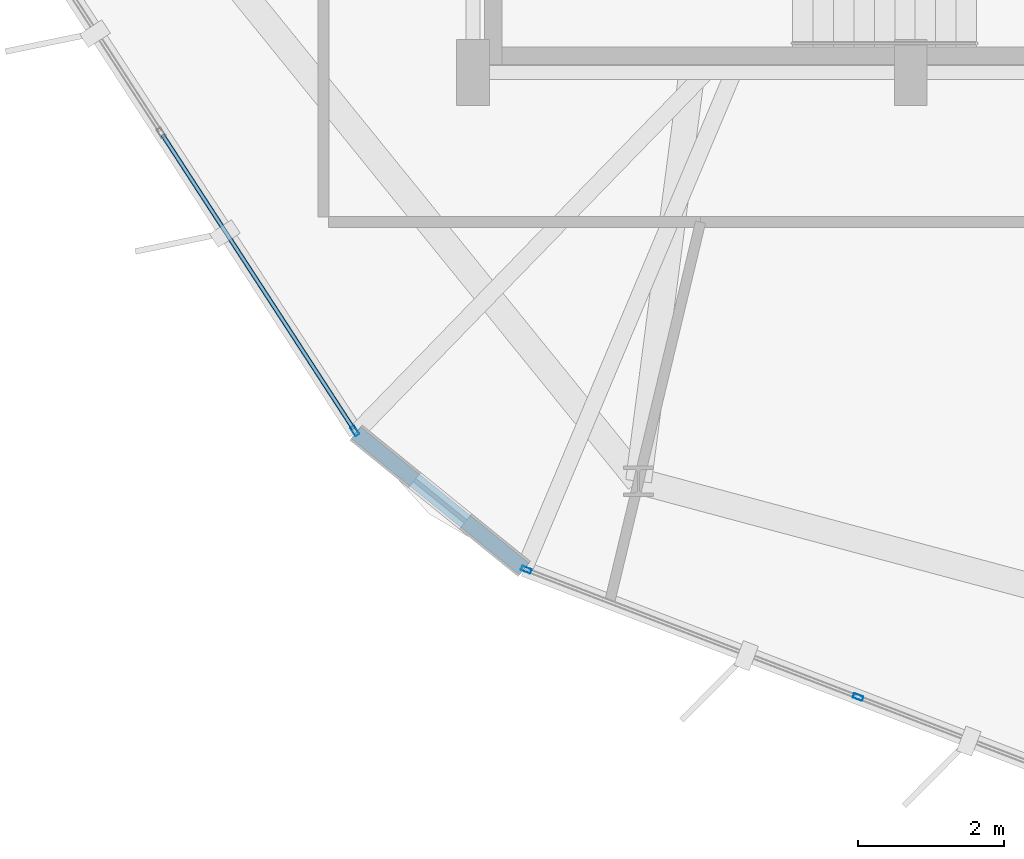
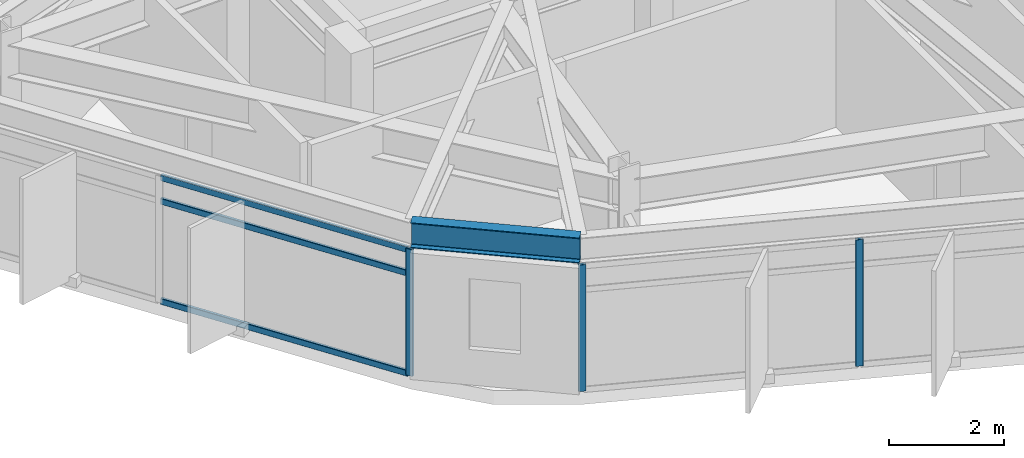
# One storey, part 2 of 29: 6 members, 1 beam, 2 elements without a shape of their own.
"""IFC4 building model written with IfcOpenShell, lengths in metres."""

from ifc_helpers import new_model, si_unit, direction, frame, origin, origin_2d, place, context, subcontext, project, spatial, hollow_rectangle, i_section, extrude, material, layer, layer_set, material_profile, profile_set, type_object, element, aggregate, save


model = new_model("IFC4")

# Units and contexts
model_context = context("Model", 3, precision=1e-05, world=origin(), true_north=direction((0.0, 1.0)))
body_context = subcontext(model_context, "Body", "Model", "MODEL_VIEW")
ifc_project = project(units=[si_unit("LENGTHUNIT", "METRE"), si_unit("AREAUNIT", "SQUARE_METRE"), si_unit("VOLUMEUNIT", "CUBIC_METRE"), si_unit("PLANEANGLEUNIT", "RADIAN"), si_unit("MASSUNIT", "GRAM", prefix="KILO")], contexts=[model_context])

# Site, building, storey
site_placement = place(None, origin())
site = spatial("IfcSite", under=ifc_project, at=site_placement, CompositionType="ELEMENT")
building_placement = place(site_placement, origin())
building = spatial("IfcBuilding", under=site, at=building_placement, Name="Soratama Intermodal Tower", CompositionType="ELEMENT")
storey_placement = place(building_placement, frame((0.0, 0.0, 219.39990234375)))
storey = spatial("IfcBuildingStorey", under=building, at=storey_placement, Name="L55", CompositionType="ELEMENT", Elevation=219.39990234375)

# Beam
ifc_material_1 = material(Name="Structural steel ASTM A992 Grade 50", Category="steel")
ifc_material_profile_1 = material_profile(ifc_material_1, i_section(OverallWidth=0.2099609375, OverallDepth=0.537109375, WebThickness=0.010986328125, FlangeThickness=0.017333984375, FilletRadius=0.012939453125, at=origin_2d()), Name="W21X68")
ifc_profile_set_1 = profile_set([ifc_material_profile_1], Name="Structural steel ASTM A992 Grade 50")
beam_type = type_object("IfcBeamType", Name="BM-SPN-W21X68", PredefinedType="SPANDREL", material=ifc_profile_set_1)
beam_placement = place(storey_placement, frame((30.998046875, 10.06591796875, 3.031494140625), z_axis=(0.777072332391, -0.629411304501, 0.0), x_axis=(0.629411304501, 0.777072332391, 0.0)))
element("IfcBeam", 1, at=beam_placement, inside=storey, type_object=beam_type, Name="BS-L55-CRN05", PredefinedType="SPANDREL", context=body_context, shape_type="SweptSolid", body=[
    extrude(i_section(OverallWidth=0.2099609375, OverallDepth=0.537109375, WebThickness=0.010986328125, FlangeThickness=0.017333984375, FilletRadius=0.012939453125, at=origin_2d()), origin(), (0.0, 0.0, 1.0), 2.966064453125),
])

# Curtain wall, member
ifc_material_2 = material(Name="Double-glazed aluminium curtain wall", Category="aluminium")
ifc_layer = layer(ifc_material_2, 0.159912109375)
ifc_layer_set = layer_set([ifc_layer], Name="Double-glazed aluminium curtain wall")
curtain_wall_type = type_object("IfcCurtainWallType", Name="CW-SYS-5", PredefinedType="NOTDEFINED", material=ifc_layer_set)
curtain_wall_1_placement = place(storey_placement, origin())
curtain_wall_1 = element("IfcCurtainWall", 2, at=curtain_wall_1_placement, inside=storey, type_object=curtain_wall_type, Name="L55 Faceted Curtain Wall F05", PredefinedType="NOTDEFINED")
ifc_material_3 = material(Name="Anodised aluminium AA 6063-T6", Category="aluminium")
ifc_material_profile_2 = material_profile(ifc_material_3, hollow_rectangle(XDim=0.06494140625, YDim=0.139892578125, WallThickness=0.0048828125, InnerFilletRadius=0.0048828125, OuterFilletRadius=0.010009765625, at=origin_2d()), Name="CWM140X65X5")
ifc_profile_set_2 = profile_set([ifc_material_profile_2], Name="Anodised aluminium AA 6063-T6")
member_type_1 = type_object("IfcMemberType", Name="MT-CWM-5", PredefinedType="MULLION", material=ifc_profile_set_2)
member_1_placement = place(storey_placement, frame((30.9814453125, 10.0908203125, 0.0), z_axis=(0.0, 0.0, 1.0), x_axis=(0.838669737789, 0.544640313342, 0.0)))
member_1 = element("IfcMember", 3, at=member_1_placement, type_object=member_type_1, Name="CW-5 mullion 3", PredefinedType="MULLION", context=body_context, shape_type="SweptSolid", body=[
    extrude(hollow_rectangle(XDim=0.06494140625, YDim=0.139892578125, WallThickness=0.0048828125, InnerFilletRadius=0.0048828125, OuterFilletRadius=0.010009765625, at=origin_2d()), origin(), (0.0, 0.0, 1.0), 2.67919921875),
])

# Curtain wall, members
curtain_wall_2_placement = place(storey_placement, origin())
curtain_wall_2 = element("IfcCurtainWall", 4, at=curtain_wall_2_placement, inside=storey, type_object=curtain_wall_type, Name="L55 Faceted Curtain Wall F06", PredefinedType="NOTDEFINED")
member_2_placement = place(storey_placement, frame((33.331298828125, 8.18798828125, 0.0), z_axis=(0.0, 0.0, 1.0), x_axis=(0.358358668826, 0.933583988978, 0.0)))
member_2 = element("IfcMember", 5, at=member_2_placement, type_object=member_type_1, Name="CW-5 mullion 1", PredefinedType="MULLION", context=body_context, shape_type="SweptSolid", body=[
    extrude(hollow_rectangle(XDim=0.06494140625, YDim=0.139892578125, WallThickness=0.0048828125, InnerFilletRadius=0.0048828125, OuterFilletRadius=0.010009765625, at=origin_2d()), origin(), (0.0, 0.0, 1.0), 2.67919921875),
])
member_3_placement = place(storey_placement, frame((37.876708984375, 6.443115234375, 0.0), z_axis=(0.0, 0.0, 1.0), x_axis=(0.358358668826, 0.933583988978, 0.0)))
member_3 = element("IfcMember", 6, at=member_3_placement, type_object=member_type_1, Name="CW-5 mullion 2", PredefinedType="MULLION", context=body_context, shape_type="SweptSolid", body=[
    extrude(hollow_rectangle(XDim=0.06494140625, YDim=0.139892578125, WallThickness=0.0048828125, InnerFilletRadius=0.0048828125, OuterFilletRadius=0.010009765625, at=origin_2d()), origin(), (0.0, 0.0, 1.0), 2.67919921875),
])
aggregate(curtain_wall_2, [member_2, member_3])

# Member
ifc_material_4 = material(Name="Anodised aluminium AA 6063-T6", Category="aluminium")
ifc_material_profile_3 = material_profile(ifc_material_4, hollow_rectangle(XDim=0.06005859375, YDim=0.1298828125, WallThickness=0.0048828125, InnerFilletRadius=0.0048828125, OuterFilletRadius=0.010009765625, at=origin_2d()), Name="CWT130X60X5")
ifc_profile_set_3 = profile_set([ifc_material_profile_3], Name="Anodised aluminium AA 6063-T6")
member_type_2 = type_object("IfcMemberType", Name="TT-CWT-2", PredefinedType="USERDEFINED", material=ifc_profile_set_3)
member_4_placement = place(storey_placement, frame((28.345947265625, 14.14892578125, 0.030029296875), z_axis=(0.544654603171, -0.838660457661, 0.0), x_axis=(0.838660457661, 0.544654603171, 0.0)))
member_4 = element("IfcMember", 7, at=member_4_placement, type_object=member_type_2, Name="CW-5 transom 2.1", ObjectType="TRANSOM", PredefinedType="USERDEFINED", context=body_context, shape_type="SweptSolid", body=[
    extrude(hollow_rectangle(XDim=0.06005859375, YDim=0.1298828125, WallThickness=0.0048828125, InnerFilletRadius=0.0048828125, OuterFilletRadius=0.010009765625, at=origin_2d()), origin(), (0.0, 0.0, 1.0), 4.808837890625),
])

member_5_placement = place(storey_placement, frame((28.345947265625, 14.14892578125, 2.150146484375), z_axis=(0.544654603171, -0.838660457661, 0.0), x_axis=(0.838660457661, 0.544654603171, 0.0)))
member_5 = element("IfcMember", 8, at=member_5_placement, type_object=member_type_2, Name="CW-5 transom 2.2", ObjectType="TRANSOM", PredefinedType="USERDEFINED", context=body_context, shape_type="SweptSolid", body=[
    extrude(hollow_rectangle(XDim=0.06005859375, YDim=0.1298828125, WallThickness=0.0048828125, InnerFilletRadius=0.0048828125, OuterFilletRadius=0.010009765625, at=origin_2d()), origin(), (0.0, 0.0, 1.0), 4.808837890625),
])

member_6_placement = place(storey_placement, frame((28.345947265625, 14.14892578125, 2.649169921875), z_axis=(0.544654603171, -0.838660457661, 0.0), x_axis=(0.838660457661, 0.544654603171, 0.0)))
member_6 = element("IfcMember", 9, at=member_6_placement, type_object=member_type_2, Name="CW-5 transom 2.3", ObjectType="TRANSOM", PredefinedType="USERDEFINED", context=body_context, shape_type="SweptSolid", body=[
    extrude(hollow_rectangle(XDim=0.06005859375, YDim=0.1298828125, WallThickness=0.0048828125, InnerFilletRadius=0.0048828125, OuterFilletRadius=0.010009765625, at=origin_2d()), origin(), (0.0, 0.0, 1.0), 4.808837890625),
])

aggregate(curtain_wall_1, [member_1, member_4, member_5, member_6])

save(model, "model.ifc")
